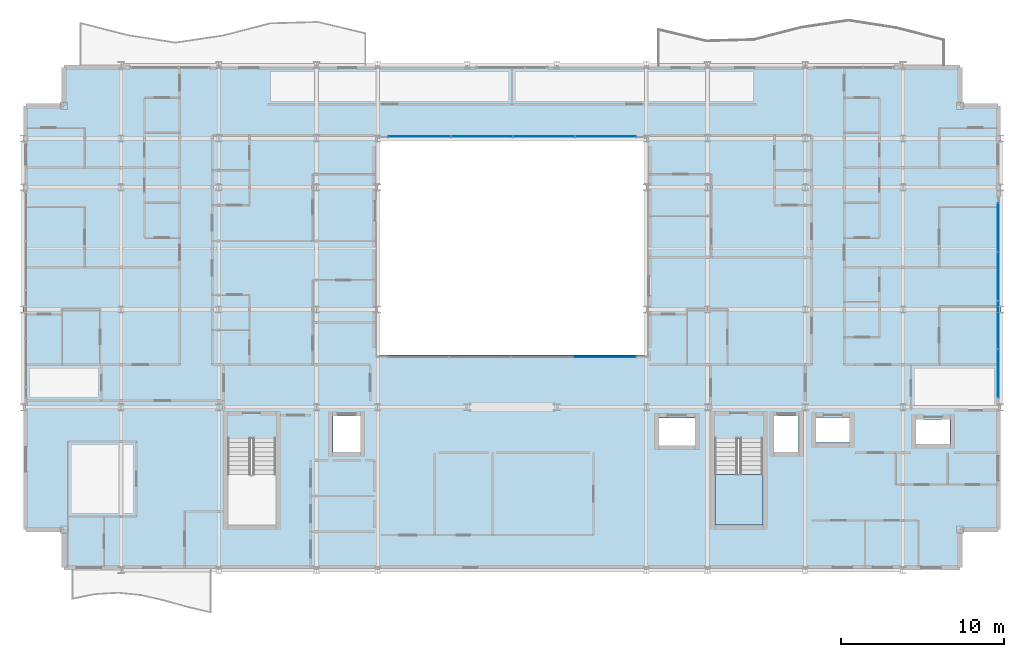
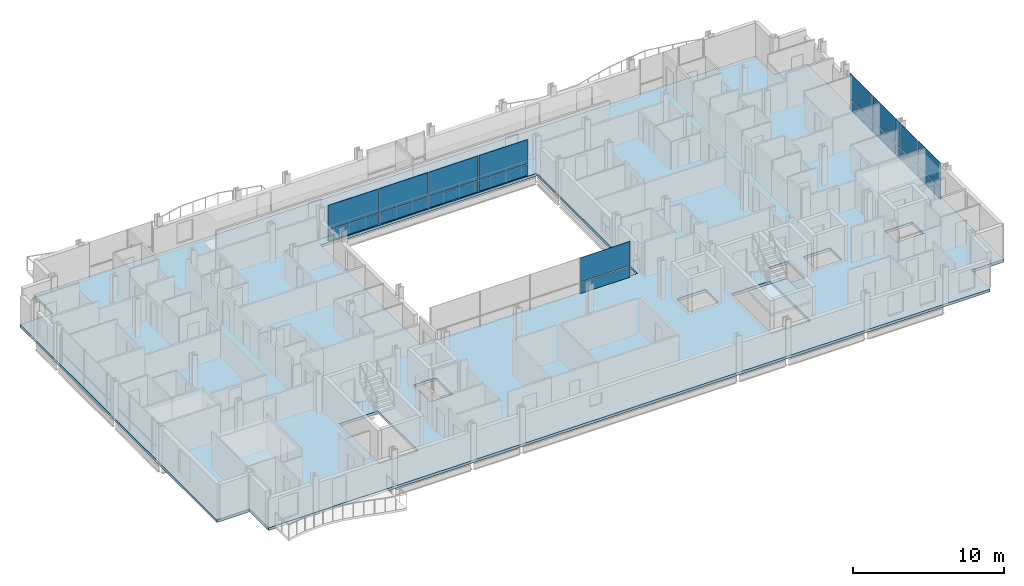
# One storey, part 27 of 41: 18 plates, 2 slabs, 4 elements without a shape of their own.
"""IFC4 building model written with IfcOpenShell, lengths in metres."""

from ifc_helpers import new_model, si_unit, direction, frame, origin, origin_2d, place, context, subcontext, project, spatial, polyline, rectangle, outline, extrude, material, layer, layer_set, type_object, element, aggregate, save


model = new_model("IFC4")

# Units and contexts
model_context = context("Model", 3, precision=1e-05, world=origin(), true_north=direction((0.0, 1.0)))
body_context = subcontext(model_context, "Body", "Model", "MODEL_VIEW")
ifc_project = project(units=[si_unit("LENGTHUNIT", "METRE"), si_unit("AREAUNIT", "SQUARE_METRE"), si_unit("VOLUMEUNIT", "CUBIC_METRE"), si_unit("PLANEANGLEUNIT", "RADIAN"), si_unit("MASSUNIT", "GRAM", prefix="KILO")], contexts=[model_context])

# Site, building, storey
site_placement = place(None, origin())
site = spatial("IfcSite", under=ifc_project, at=site_placement, CompositionType="ELEMENT")
building_placement = place(site_placement, origin())
building = spatial("IfcBuilding", under=site, at=building_placement, Name="Brevholm Reach", CompositionType="ELEMENT")
storey_placement = place(building_placement, frame((0.0, 0.0, 106.60009765625)))
storey = spatial("IfcBuildingStorey", under=building, at=storey_placement, Name="L31", CompositionType="ELEMENT", Elevation=106.60009765625)

# Curtain wall, plates
ifc_material_1 = material(Name="Dark Anodised Aluminium 6063-T6 and Solar-Control Glass", Category="aluminium")
ifc_layer_1 = layer(ifc_material_1, 0.14990234375)
ifc_layer_set_1 = layer_set([ifc_layer_1], Name="Dark Anodised Aluminium 6063-T6 and Solar-Control Glass")
curtain_wall_type_1 = type_object("IfcCurtainWallType", Name="CW-01", PredefinedType="NOTDEFINED", material=ifc_layer_set_1)
curtain_wall_1_placement = place(storey_placement, origin())
curtain_wall_1 = element("IfcCurtainWall", 1, at=curtain_wall_1_placement, inside=storey, type_object=curtain_wall_type_1, Name="L31 Curtain Wall CW-01", PredefinedType="NOTDEFINED")
ifc_material_2 = material(Name="Dark Solar-Control Double-Glazed IGU Glass", Category="glass")
ifc_layer_2 = layer(ifc_material_2, 0.028076171875)
ifc_layer_set_2 = layer_set([ifc_layer_2], Name="Dark Solar-Control Double-Glazed IGU Glass")
plate_type_1 = type_object("IfcPlateType", Name="CWP-GLZ-28", PredefinedType="CURTAIN_PANEL", material=ifc_layer_set_2)
plate_1_placement = place(storey_placement, frame((59.85009765625, 12.066162109375, 0.0), z_axis=(0.0, 0.0, 1.0), x_axis=(0.0, 1.0, 0.0)))
plate_1 = element("IfcPlate", 2, at=plate_1_placement, type_object=plate_type_1, Name="CP-01 Glazing Panel 1.1", PredefinedType="CURTAIN_PANEL", context=body_context, shape_type="SweptSolid", body=[
    extrude(rectangle(XDim=2.902587890625, YDim=0.028076171875, at=origin_2d()), origin(), (0.0, 0.0, 1.0), 0.867431640625),
])
plate_2_placement = place(storey_placement, frame((59.85009765625, 12.066162109375, 0.9326171875), z_axis=(0.0, 0.0, 1.0), x_axis=(0.0, 1.0, 0.0)))
plate_2 = element("IfcPlate", 3, at=plate_2_placement, type_object=plate_type_1, Name="CP-01 Glazing Panel 1.2", PredefinedType="CURTAIN_PANEL", context=body_context, shape_type="SweptSolid", body=[
    extrude(rectangle(XDim=2.902587890625, YDim=0.028076171875, at=origin_2d()), origin(), (0.0, 0.0, 1.0), 1.947509765625),
])
plate_3_placement = place(storey_placement, frame((59.85009765625, 15.050048828125, 0.0), z_axis=(0.0, 0.0, 1.0), x_axis=(0.0, 1.0, 0.0)))
plate_3 = element("IfcPlate", 4, at=plate_3_placement, type_object=plate_type_1, Name="CP-01 Glazing Panel 2.1", PredefinedType="CURTAIN_PANEL", context=body_context, shape_type="SweptSolid", body=[
    extrude(rectangle(XDim=2.93505859375, YDim=0.028076171875, at=origin_2d()), origin(), (0.0, 0.0, 1.0), 0.867431640625),
])
plate_4_placement = place(storey_placement, frame((59.85009765625, 15.050048828125, 0.9326171875), z_axis=(0.0, 0.0, 1.0), x_axis=(0.0, 1.0, 0.0)))
plate_4 = element("IfcPlate", 5, at=plate_4_placement, type_object=plate_type_1, Name="CP-01 Glazing Panel 2.2", PredefinedType="CURTAIN_PANEL", context=body_context, shape_type="SweptSolid", body=[
    extrude(rectangle(XDim=2.93505859375, YDim=0.028076171875, at=origin_2d()), origin(), (0.0, 0.0, 1.0), 1.947509765625),
])
plate_5_placement = place(storey_placement, frame((59.85009765625, 18.050048828125, 0.0), z_axis=(0.0, 0.0, 1.0), x_axis=(0.0, 1.0, 0.0)))
plate_5 = element("IfcPlate", 6, at=plate_5_placement, type_object=plate_type_1, Name="CP-01 Glazing Panel 3.1", PredefinedType="CURTAIN_PANEL", context=body_context, shape_type="SweptSolid", body=[
    extrude(rectangle(XDim=2.93505859375, YDim=0.028076171875, at=origin_2d()), origin(), (0.0, 0.0, 1.0), 0.867431640625),
])
plate_6_placement = place(storey_placement, frame((59.85009765625, 18.050048828125, 0.9326171875), z_axis=(0.0, 0.0, 1.0), x_axis=(0.0, 1.0, 0.0)))
plate_6 = element("IfcPlate", 7, at=plate_6_placement, type_object=plate_type_1, Name="CP-01 Glazing Panel 3.2", PredefinedType="CURTAIN_PANEL", context=body_context, shape_type="SweptSolid", body=[
    extrude(rectangle(XDim=2.93505859375, YDim=0.028076171875, at=origin_2d()), origin(), (0.0, 0.0, 1.0), 1.947509765625),
])
plate_7_placement = place(storey_placement, frame((59.85009765625, 21.050048828125, 0.0), z_axis=(0.0, 0.0, 1.0), x_axis=(0.0, 1.0, 0.0)))
plate_7 = element("IfcPlate", 8, at=plate_7_placement, type_object=plate_type_1, Name="CP-01 Glazing Panel 4.1", PredefinedType="CURTAIN_PANEL", context=body_context, shape_type="SweptSolid", body=[
    extrude(rectangle(XDim=2.93505859375, YDim=0.028076171875, at=origin_2d()), origin(), (0.0, 0.0, 1.0), 0.867431640625),
])
plate_8_placement = place(storey_placement, frame((59.85009765625, 21.050048828125, 0.9326171875), z_axis=(0.0, 0.0, 1.0), x_axis=(0.0, 1.0, 0.0)))
plate_8 = element("IfcPlate", 9, at=plate_8_placement, type_object=plate_type_1, Name="CP-01 Glazing Panel 4.2", PredefinedType="CURTAIN_PANEL", context=body_context, shape_type="SweptSolid", body=[
    extrude(rectangle(XDim=2.93505859375, YDim=0.028076171875, at=origin_2d()), origin(), (0.0, 0.0, 1.0), 1.947509765625),
])
aggregate(curtain_wall_1, [plate_1, plate_2, plate_3, plate_4, plate_5, plate_6, plate_7, plate_8])

ifc_material_3 = material(Name="Dark Anodised Aluminium 6063-T6 and Solar-Control Glass", Category="aluminium")
ifc_layer_3 = layer(ifc_material_3, 0.139892578125)
ifc_layer_set_3 = layer_set([ifc_layer_3], Name="Dark Anodised Aluminium 6063-T6 and Solar-Control Glass")
curtain_wall_type_2 = type_object("IfcCurtainWallType", Name="CW-02", PredefinedType="NOTDEFINED", material=ifc_layer_set_3)
curtain_wall_2_placement = place(storey_placement, origin())
curtain_wall_2 = element("IfcCurtainWall", 10, at=curtain_wall_2_placement, inside=storey, type_object=curtain_wall_type_2, Name="L31 Curtain Wall CW-02", PredefinedType="NOTDEFINED")
ifc_material_4 = material(Name="Low-Iron Laminated Acoustic Glass", Category="glass")
ifc_layer_4 = layer(ifc_material_4, 0.035888671875)
ifc_layer_set_4 = layer_set([ifc_layer_4], Name="Low-Iron Laminated Acoustic Glass")
plate_type_2 = type_object("IfcPlateType", Name="CWP-GLZ-36", PredefinedType="CURTAIN_PANEL", material=ifc_layer_set_4)
plate_9_placement = place(storey_placement, frame((35.68505859375, 13.080078125, -0.000244140625), z_axis=(0.0, 0.0, 1.0), x_axis=(1.0, 0.0, 0.0)))
plate_9 = element("IfcPlate", 11, at=plate_9_placement, type_object=plate_type_2, Name="CP-02 Glazing Panel 4.1", PredefinedType="CURTAIN_PANEL", context=body_context, shape_type="SweptSolid", body=[
    extrude(rectangle(XDim=3.81005859375, YDim=0.035888671875, at=origin_2d()), origin(), (0.0, 0.0, 1.0), 0.8701171875),
])
plate_10_placement = place(storey_placement, frame((35.68505859375, 13.080078125, 0.9296875), z_axis=(0.0, 0.0, 1.0), x_axis=(1.0, 0.0, 0.0)))
plate_10 = element("IfcPlate", 12, at=plate_10_placement, type_object=plate_type_2, Name="CP-02 Glazing Panel 4.2", PredefinedType="CURTAIN_PANEL", context=body_context, shape_type="SweptSolid", body=[
    extrude(rectangle(XDim=3.81005859375, YDim=0.035888671875, at=origin_2d()), origin(), (0.0, 0.0, 1.0), 1.949951171875),
])
aggregate(curtain_wall_2, [plate_9, plate_10])

curtain_wall_3_placement = place(storey_placement, origin())
curtain_wall_3 = element("IfcCurtainWall", 13, at=curtain_wall_3_placement, inside=storey, type_object=curtain_wall_type_2, Name="L31 Curtain Wall CW-02", PredefinedType="NOTDEFINED")
plate_11_placement = place(storey_placement, frame((35.735107421875, 26.6201171875, -0.000244140625), z_axis=(0.0, 0.0, 1.0), x_axis=(-1.0, 0.0, 0.0)))
plate_11 = element("IfcPlate", 14, at=plate_11_placement, type_object=plate_type_2, Name="CP-02 Glazing Panel 1.1", PredefinedType="CURTAIN_PANEL", context=body_context, shape_type="SweptSolid", body=[
    extrude(rectangle(XDim=3.7099609375, YDim=0.035888671875, at=origin_2d()), origin(), (0.0, 0.0, 1.0), 0.8701171875),
])
plate_12_placement = place(storey_placement, frame((35.735107421875, 26.6201171875, 0.9296875), z_axis=(0.0, 0.0, 1.0), x_axis=(-1.0, 0.0, 0.0)))
plate_12 = element("IfcPlate", 15, at=plate_12_placement, type_object=plate_type_2, Name="CP-02 Glazing Panel 1.2", PredefinedType="CURTAIN_PANEL", context=body_context, shape_type="SweptSolid", body=[
    extrude(rectangle(XDim=3.7099609375, YDim=0.035888671875, at=origin_2d()), origin(), (0.0, 0.0, 1.0), 1.949951171875),
])
plate_13_placement = place(storey_placement, frame((31.949951171875, 26.6201171875, -0.000244140625), z_axis=(0.0, 0.0, 1.0), x_axis=(-1.0, 0.0, 0.0)))
plate_13 = element("IfcPlate", 16, at=plate_13_placement, type_object=plate_type_2, Name="CP-02 Glazing Panel 2.1", PredefinedType="CURTAIN_PANEL", context=body_context, shape_type="SweptSolid", body=[
    extrude(rectangle(XDim=3.739990234375, YDim=0.035888671875, at=origin_2d()), origin(), (0.0, 0.0, 1.0), 0.8701171875),
])
plate_14_placement = place(storey_placement, frame((31.949951171875, 26.6201171875, 0.9296875), z_axis=(0.0, 0.0, 1.0), x_axis=(-1.0, 0.0, 0.0)))
plate_14 = element("IfcPlate", 17, at=plate_14_placement, type_object=plate_type_2, Name="CP-02 Glazing Panel 2.2", PredefinedType="CURTAIN_PANEL", context=body_context, shape_type="SweptSolid", body=[
    extrude(rectangle(XDim=3.739990234375, YDim=0.035888671875, at=origin_2d()), origin(), (0.0, 0.0, 1.0), 1.949951171875),
])
plate_15_placement = place(storey_placement, frame((28.14990234375, 26.6201171875, -0.000244140625), z_axis=(0.0, 0.0, 1.0), x_axis=(-1.0, 0.0, 0.0)))
plate_15 = element("IfcPlate", 18, at=plate_15_placement, type_object=plate_type_2, Name="CP-02 Glazing Panel 3.1", PredefinedType="CURTAIN_PANEL", context=body_context, shape_type="SweptSolid", body=[
    extrude(rectangle(XDim=3.739990234375, YDim=0.035888671875, at=origin_2d()), origin(), (0.0, 0.0, 1.0), 0.8701171875),
])
plate_16_placement = place(storey_placement, frame((28.14990234375, 26.6201171875, 0.9296875), z_axis=(0.0, 0.0, 1.0), x_axis=(-1.0, 0.0, 0.0)))
plate_16 = element("IfcPlate", 19, at=plate_16_placement, type_object=plate_type_2, Name="CP-02 Glazing Panel 3.2", PredefinedType="CURTAIN_PANEL", context=body_context, shape_type="SweptSolid", body=[
    extrude(rectangle(XDim=3.739990234375, YDim=0.035888671875, at=origin_2d()), origin(), (0.0, 0.0, 1.0), 1.949951171875),
])
plate_17_placement = place(storey_placement, frame((24.31494140625, 26.6201171875, -0.000244140625), z_axis=(0.0, 0.0, 1.0), x_axis=(-1.0, 0.0, 0.0)))
plate_17 = element("IfcPlate", 20, at=plate_17_placement, type_object=plate_type_2, Name="CP-02 Glazing Panel 4.1", PredefinedType="CURTAIN_PANEL", context=body_context, shape_type="SweptSolid", body=[
    extrude(rectangle(XDim=3.81005859375, YDim=0.035888671875, at=origin_2d()), origin(), (0.0, 0.0, 1.0), 0.8701171875),
])
plate_18_placement = place(storey_placement, frame((24.31494140625, 26.6201171875, 0.9296875), z_axis=(0.0, 0.0, 1.0), x_axis=(-1.0, 0.0, 0.0)))
plate_18 = element("IfcPlate", 21, at=plate_18_placement, type_object=plate_type_2, Name="CP-02 Glazing Panel 4.2", PredefinedType="CURTAIN_PANEL", context=body_context, shape_type="SweptSolid", body=[
    extrude(rectangle(XDim=3.81005859375, YDim=0.035888671875, at=origin_2d()), origin(), (0.0, 0.0, 1.0), 1.949951171875),
])
aggregate(curtain_wall_3, [plate_11, plate_12, plate_13, plate_14, plate_15, plate_16, plate_17, plate_18])

# Slab
ifc_material_5 = material(Name="Concrete C40/50", Category="concrete")
ifc_layer_5 = layer(ifc_material_5, 0.219970703125)
ifc_layer_set_5 = layer_set([ifc_layer_5], Name="Concrete C40/50")
slab_type_1 = type_object("IfcSlabType", Name="SLB-FL-220", PredefinedType="FLOOR", material=ifc_layer_set_5)
slab_1_placement = place(storey_placement, frame((0.0, 0.0, -0.22021484375)))
element("IfcSlab", 22, at=slab_1_placement, inside=storey, type_object=slab_type_1, Name="L31 Suspended Floor Slab (main)", PredefinedType="FLOOR", context=body_context, shape_type="SweptSolid", body=[
    extrude(outline(polyline([(2.5, 0.0), (57.5, 0.0), (57.5, 2.5), (60.0, 2.5), (60.0, 28.5), (57.5, 28.5), (57.5, 31.0), (2.5, 31.0), (2.5, 28.5), (0.0, 28.5), (0.0, 2.5), (2.5, 2.5), (2.5, 0.0)]), holes=[polyline([(21.75, 13.199951171875), (38.25, 13.199951171875), (38.25, 26.5), (21.75, 26.5), (21.75, 13.199951171875)]), polyline([(12.550048828125, 2.780029296875), (15.5, 2.780029296875), (15.5, 8.044921875), (12.550048828125, 8.044921875), (12.550048828125, 2.780029296875)]), polyline([(42.449951171875, 2.780029296875), (45.39990234375, 2.780029296875), (45.39990234375, 8.044921875), (42.449951171875, 8.044921875), (42.449951171875, 2.780029296875)]), polyline([(19.0, 7.25), (20.699951171875, 7.25), (20.699951171875, 9.449951171875), (19.0, 9.449951171875), (19.0, 7.25)]), polyline([(46.10009765625, 7.25), (47.60009765625, 7.25), (47.60009765625, 9.449951171875), (46.10009765625, 9.449951171875), (46.10009765625, 7.25)]), polyline([(48.675048828125, 7.824951171875), (50.72509765625, 7.824951171875), (50.72509765625, 9.375), (48.675048828125, 9.375), (48.675048828125, 7.824951171875)]), polyline([(54.800048828125, 7.75), (56.89990234375, 7.75), (56.89990234375, 9.25), (54.800048828125, 9.25), (54.800048828125, 7.75)]), polyline([(39.02001953125, 7.64990234375), (41.219970703125, 7.64990234375), (41.219970703125, 9.35009765625), (39.02001953125, 9.35009765625), (39.02001953125, 7.64990234375)])]), origin(), (0.0, 0.0, 1.0), 0.22021484375),
])

# Stair, slab
ifc_material_6 = material(Name="Precast Concrete C40/50", Category="concrete")
stair_type = type_object("IfcStairType", Name="STR-ESC-1400", PredefinedType="DOUBLE_RETURN_STAIR", material=ifc_material_6)
stair_placement = place(storey_placement, origin())
stair = element("IfcStair", 23, at=stair_placement, inside=storey, type_object=stair_type, Name="L31 ST-2", PredefinedType="DOUBLE_RETURN_STAIR")
ifc_material_7 = material(Name="Concrete C40/50", Category="concrete")
ifc_layer_6 = layer(ifc_material_7, 0.199951171875)
ifc_layer_set_6 = layer_set([ifc_layer_6], Name="Concrete C40/50")
slab_type_2 = type_object("IfcSlabType", Name="SLB-LND-200", PredefinedType="LANDING", material=ifc_layer_set_6)
slab_2_placement = place(storey_placement, frame((0.0, 0.0, 1.349853515625)))
slab_2 = element("IfcSlab", 24, at=slab_2_placement, type_object=slab_type_2, Name="ST-2 landing 1", PredefinedType="LANDING", context=body_context, shape_type="SweptSolid", body=[
    extrude(outline(polyline([(42.449951171875, 5.860107421875), (42.449951171875, 2.780029296875), (45.39990234375, 2.780029296875), (45.39990234375, 5.860107421875), (42.449951171875, 5.860107421875)])), origin(), (0.0, 0.0, 1.0), 0.199951171875),
])
aggregate(stair, [slab_2])

save(model, "model.ifc")
